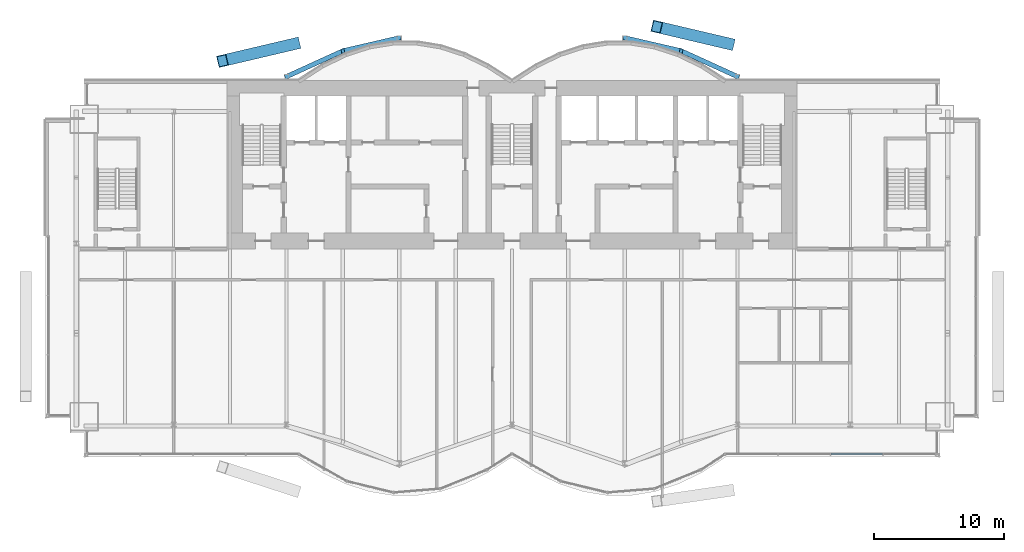
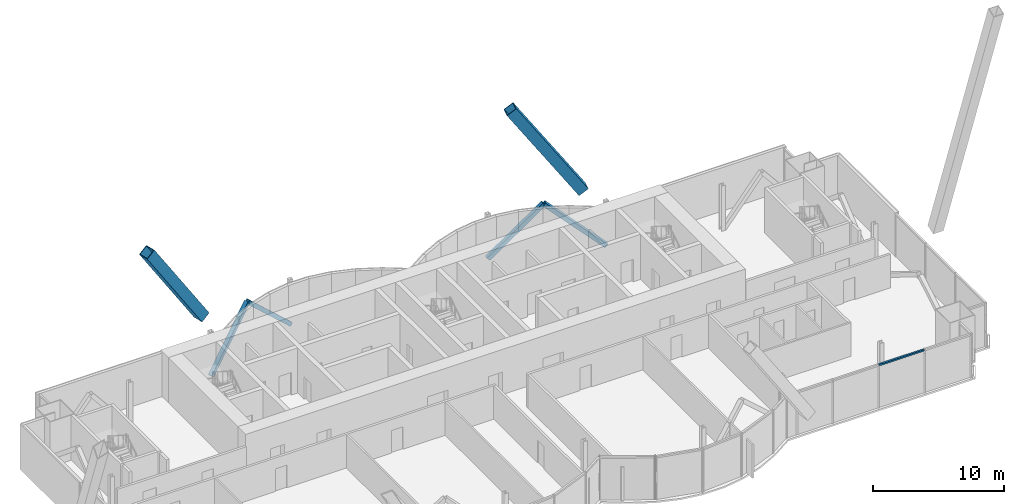
# One storey, part 12 of 23: 7 members, 1 element without a shape of its own.
"""IFC4 building model written with IfcOpenShell, lengths in metres."""

from ifc_helpers import new_model, si_unit, direction, frame, origin, origin_2d, place, context, subcontext, project, spatial, rectangle, hollow_rectangle, extrude, material, material_profile, profile_set, type_object, element, aggregate, save


model = new_model("IFC4")

# Units and contexts
model_context = context("Model", 3, precision=1e-05, world=origin(), true_north=direction((0.0, 1.0)))
body_context = subcontext(model_context, "Body", "Model", "MODEL_VIEW")
ifc_project = project(units=[si_unit("LENGTHUNIT", "METRE"), si_unit("AREAUNIT", "SQUARE_METRE"), si_unit("VOLUMEUNIT", "CUBIC_METRE"), si_unit("PLANEANGLEUNIT", "RADIAN"), si_unit("MASSUNIT", "GRAM", prefix="KILO")], contexts=[model_context])

# Site, building, storey
site_placement = place(None, origin())
site = spatial("IfcSite", under=ifc_project, at=site_placement, CompositionType="ELEMENT")
building_placement = place(site_placement, origin())
building = spatial("IfcBuilding", under=site, at=building_placement, Name="Bicima Exchange Tower", CompositionType="ELEMENT")
storey_placement = place(building_placement, frame((0.0, 0.0, 262.39990234375)))
storey = spatial("IfcBuildingStorey", under=building, at=storey_placement, Name="L59", CompositionType="ELEMENT", Elevation=262.39990234375)

# Members
ifc_material_1 = material(Name="Steel ASTM A572 Gr 50", Category="steel")
ifc_material_profile_1 = material_profile(ifc_material_1, hollow_rectangle(XDim=0.89990234375, YDim=0.89990234375, WallThickness=0.050048828125, at=origin_2d()))
ifc_profile_set_1 = profile_set([ifc_material_profile_1], Name="Steel ASTM A572 Gr 50")
member_type_1 = type_object("IfcMemberType", Name="Exo mega brace BOX 900x900x50", PredefinedType="BRACE", material=ifc_profile_set_1)
for number, where, z_axis, x_axis, name in (
    (1, (-16.75, 2.8125, 3.900146484375), (-0.540124893302, -0.126971508435, 0.831951522435), (0.228840031766, -0.973464041381, 0.0), "Exo mega brace rear"),
    (2, (16.75, 2.8125, 3.900146484375), (-0.540124893302, 0.126971508435, 0.831951522435), (-0.228840031766, -0.973464041381, 0.0), "Exo mega brace rear"),
):
    element("IfcMember", number, at=place(storey_placement, frame(where, z_axis=z_axis, x_axis=x_axis)), inside=storey, type_object=member_type_1, Name=name, PredefinedType="BRACE", context=body_context, shape_type="SweptSolid", body=[
        extrude(hollow_rectangle(XDim=0.89990234375, YDim=0.89990234375, WallThickness=0.050048828125, at=origin_2d()), origin(), (0.0, 0.0, 1.0), 10.3369140625),
    ])

# Curtain wall, member
ifc_material_2 = material(Name="Anodised bronze aluminium", Category="aluminium")
curtain_wall_type = type_object("IfcCurtainWallType", Name="Front glass wall", PredefinedType="NOTDEFINED", material=ifc_material_2)
curtain_wall_placement = place(storey_placement, origin())
curtain_wall = element("IfcCurtainWall", 3, at=curtain_wall_placement, inside=storey, type_object=curtain_wall_type, Name="Front glass wall L59 run 16", PredefinedType="NOTDEFINED")
ifc_material_profile_2 = material_profile(ifc_material_2, rectangle(XDim=0.159912109375, YDim=0.139892578125, at=origin_2d()))
ifc_profile_set_2 = profile_set([ifc_material_profile_2], Name="Anodised bronze aluminium")
member_type_2 = type_object("IfcMemberType", Name="Front glass wall transom 140 x 160", PredefinedType="USERDEFINED", material=ifc_profile_set_2)
member_1_placement = place(storey_placement, frame((24.591064453125, -28.837890625, 3.97998046875), z_axis=(1.0, 0.0, 0.0), x_axis=(0.0, 1.0, 0.0)))
member_1 = element("IfcMember", 4, at=member_1_placement, type_object=member_type_2, Name="Front glass wall transom 3.1", ObjectType="TRANSOM", PredefinedType="USERDEFINED", context=body_context, shape_type="SweptSolid", body=[
    extrude(rectangle(XDim=0.159912109375, YDim=0.139892578125, at=origin_2d()), origin(), (0.0, 0.0, 1.0), 3.989501953125),
])
aggregate(curtain_wall, [member_1])

# Members
ifc_material_profile_3 = material_profile(ifc_material_1, hollow_rectangle(XDim=0.355712890625, YDim=0.355712890625, WallThickness=0.0146484375, at=origin_2d()))
ifc_profile_set_3 = profile_set([ifc_material_profile_3], Name="Steel ASTM A572 Gr 50")
member_type_3 = type_object("IfcMemberType", Name="Mega brace HSS14x14x5/8", PredefinedType="BRACE", material=ifc_profile_set_3)
member_2_placement = place(storey_placement, frame((-17.39990234375, 0.278076171875, 0.0), z_axis=(0.683508386489, 0.31181209886, 0.659992045864), x_axis=(-0.415045223819, 0.909800781592, 0.0)))
element("IfcMember", 5, at=member_2_placement, inside=storey, type_object=member_type_3, Name="Mega brace rexo", PredefinedType="BRACE", context=body_context, shape_type="SweptSolid", body=[
    extrude(hollow_rectangle(XDim=0.355712890625, YDim=0.355712890625, WallThickness=0.0146484375, at=origin_2d()), origin(), (0.0, 0.0, 1.0), 6.364013671875),
])
for number, where, z_axis, x_axis, name in (
    (6, (-8.699951171875, 3.26904296875, 0.0), (-0.709628288402, -0.16420459272, 0.685174827347), (0.225438503722, -0.974257399787, 0.0), "Mega brace rexo"),
    (7, (8.699951171875, 3.26904296875, 0.0), (0.709628288402, -0.16420459272, 0.685174827347), (0.225438503722, 0.974257399787, 0.0), "Mega brace rexo"),
):
    element("IfcMember", number, at=place(storey_placement, frame(where, z_axis=z_axis, x_axis=x_axis)), inside=storey, type_object=member_type_3, Name=name, PredefinedType="BRACE", context=body_context, shape_type="SweptSolid", body=[
        extrude(hollow_rectangle(XDim=0.355712890625, YDim=0.355712890625, WallThickness=0.0146484375, at=origin_2d()), origin(), (0.0, 0.0, 1.0), 6.130126953125),
    ])
member_3_placement = place(storey_placement, frame((17.39990234375, 0.278076171875, 0.0), z_axis=(-0.683508386489, 0.31181209886, 0.659992045864), x_axis=(-0.415045223819, -0.909800781592, 0.0)))
element("IfcMember", 8, at=member_3_placement, inside=storey, type_object=member_type_3, Name="Mega brace rexo", PredefinedType="BRACE", context=body_context, shape_type="SweptSolid", body=[
    extrude(hollow_rectangle(XDim=0.355712890625, YDim=0.355712890625, WallThickness=0.0146484375, at=origin_2d()), origin(), (0.0, 0.0, 1.0), 6.364013671875),
])

save(model, "model.ifc")
